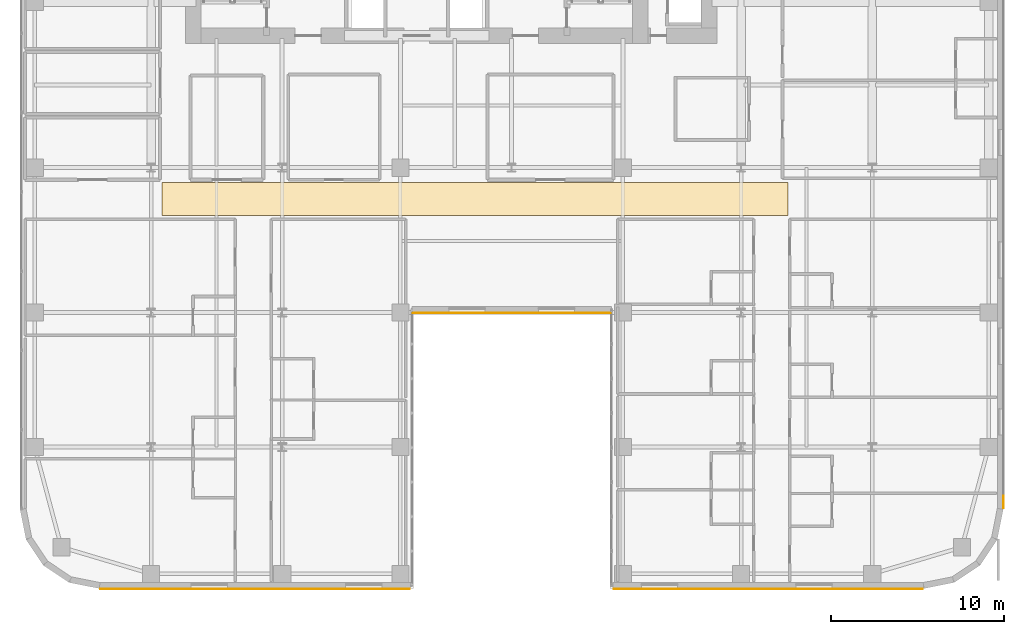
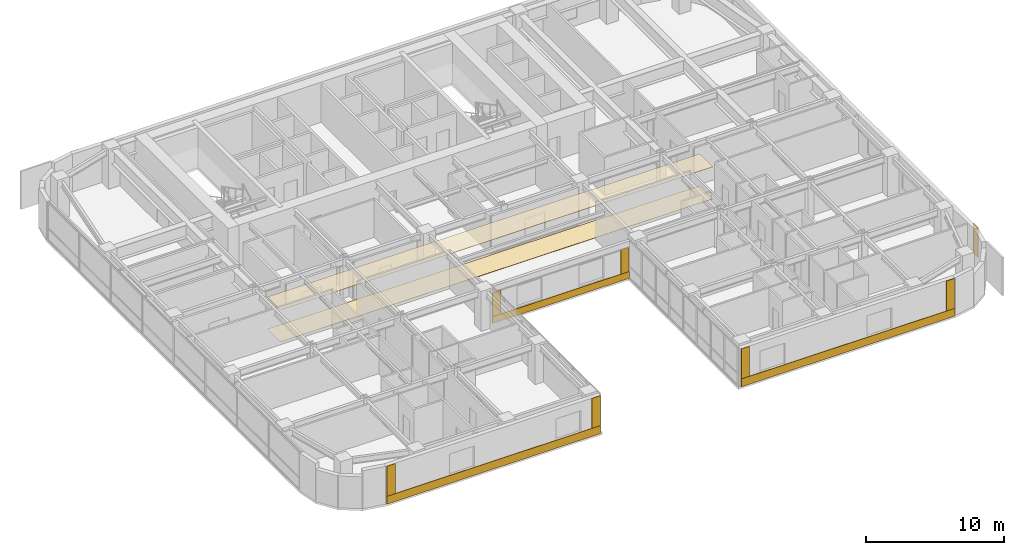
# One storey, part 33 of 37: 12 coverings.
"""IFC4 building model written with IfcOpenShell, lengths in metres."""

from ifc_helpers import new_model, si_unit, direction, frame, origin, place, context, subcontext, project, spatial, polyline, outline, extrude, material, layer, layer_set, type_object, element, save


model = new_model("IFC4")

# Units and contexts
model_context = context("Model", 3, precision=1e-05, world=origin(), true_north=direction((0.0, 1.0)))
body_context = subcontext(model_context, "Body", "Model", "MODEL_VIEW")
ifc_project = project(units=[si_unit("LENGTHUNIT", "METRE"), si_unit("AREAUNIT", "SQUARE_METRE"), si_unit("VOLUMEUNIT", "CUBIC_METRE"), si_unit("PLANEANGLEUNIT", "RADIAN"), si_unit("MASSUNIT", "GRAM", prefix="KILO")], contexts=[model_context])

# Site, building, storey
site_placement = place(None, origin())
site = spatial("IfcSite", under=ifc_project, at=site_placement, CompositionType="ELEMENT")
building_placement = place(site_placement, origin())
building = spatial("IfcBuilding", under=site, at=building_placement, Name="Tolvann Quenvar Hotel", CompositionType="ELEMENT")
storey_placement = place(building_placement, frame((0.0, 0.0, 53.300048828125)))
storey = spatial("IfcBuildingStorey", under=building, at=storey_placement, Name="L12", CompositionType="ELEMENT", Elevation=53.300048828125)

# Coverings
ifc_material_1 = material(Name="Micro-perforated acoustic mineral-fibre and timber-batten suspended ceiling", Category="wood")
ifc_layer_1 = layer(ifc_material_1, 0.0400390625)
ifc_layer_set_1 = layer_set([ifc_layer_1], Name="Micro-perforated acoustic mineral-fibre and timber-batten suspended ceiling")
covering_type_1 = type_object("IfcCoveringType", Name="COV_CEIL_ACOUSTIC_40", PredefinedType="CEILING", material=ifc_layer_set_1)
covering_1_placement = place(storey_placement, frame((0.0, 0.0, 2.829833984375)))
element("IfcCovering", 1, at=covering_1_placement, inside=storey, type_object=covering_type_1, Name="Suspended Acoustic Ceiling (Hotel Guest Corridor L12)", PredefinedType="CEILING", context=body_context, shape_type="SweptSolid", body=[
    extrude(outline(polyline([(8.219970703125, 21.6201171875), (44.530029296875, 21.6201171875), (44.530029296875, 23.530029296875), (8.219970703125, 23.530029296875), (8.219970703125, 21.6201171875)])), origin(), (0.0, 0.0, 1.0), 0.0400390625),
])
ifc_material_2 = material(Name="Kiln-fired red architectural face brick cladding", Category="masonry")
ifc_layer_2 = layer(ifc_material_2, 0.0400390625)
ifc_layer_set_2 = layer_set([ifc_layer_2], Name="Kiln-fired red architectural face brick cladding")
covering_type_2 = type_object("IfcCoveringType", Name="COV_CLAD_BRICK_40", PredefinedType="CLADDING", material=ifc_layer_set_2)
covering_2_placement = place(storey_placement, frame((0.0, 0.0, 0.699951171875)))
element("IfcCovering", 2, at=covering_2_placement, inside=storey, type_object=covering_type_2, Name="Brick Pier Cladding (L12-E04-P1)", PredefinedType="CLADDING", context=body_context, shape_type="SweptSolid", body=[
    extrude(outline(polyline([(4.667236328125, 0.0), (5.3671875, 0.0), (5.3671875, -0.0400390625), (4.667236328125, -0.0400390625), (4.667236328125, 0.0)])), origin(), (0.0, 0.0, 1.0), 2.669921875),
])
covering_3_placement = place(storey_placement, frame((0.0, 0.0, 0.699951171875)))
element("IfcCovering", 3, at=covering_3_placement, inside=storey, type_object=covering_type_2, Name="Brick Pier Cladding (L12-E04-P2)", PredefinedType="CLADDING", context=body_context, shape_type="SweptSolid", body=[
    extrude(outline(polyline([(21.875, 0.0), (22.574951171875, 0.0), (22.574951171875, -0.0400390625), (21.875, -0.0400390625), (21.875, 0.0)])), origin(), (0.0, 0.0, 1.0), 2.669921875),
])
covering_4_placement = place(storey_placement, frame((0.0, 0.0, 0.6044921875)))
element("IfcCovering", 4, at=covering_4_placement, inside=storey, type_object=covering_type_2, Name="Brick Pier Cladding (L12-E06-P1)", PredefinedType="CLADDING", context=body_context, shape_type="SweptSolid", body=[
    extrude(outline(polyline([(22.760009765625, 16.0), (23.4599609375, 16.0), (23.4599609375, 15.9599609375), (22.760009765625, 15.9599609375), (22.760009765625, 16.0)])), origin(), (0.0, 0.0, 1.0), 2.1435546875),
])
covering_5_placement = place(storey_placement, frame((0.0, 0.0, 0.6044921875)))
element("IfcCovering", 5, at=covering_5_placement, inside=storey, type_object=covering_type_2, Name="Brick Pier Cladding (L12-E06-P2)", PredefinedType="CLADDING", context=body_context, shape_type="SweptSolid", body=[
    extrude(outline(polyline([(33.5400390625, 16.0), (34.239990234375, 16.0), (34.239990234375, 15.9599609375), (33.5400390625, 15.9599609375), (33.5400390625, 16.0)])), origin(), (0.0, 0.0, 1.0), 2.1435546875),
])
covering_6_placement = place(storey_placement, frame((0.0, 0.0, 0.699951171875)))
element("IfcCovering", 6, at=covering_6_placement, inside=storey, type_object=covering_type_2, Name="Brick Pier Cladding (L12-E08-P1)", PredefinedType="CLADDING", context=body_context, shape_type="SweptSolid", body=[
    extrude(outline(polyline([(34.425048828125, 0.0), (35.125, 0.0), (35.125, -0.0400390625), (34.425048828125, -0.0400390625), (34.425048828125, 0.0)])), origin(), (0.0, 0.0, 1.0), 2.669921875),
])
covering_7_placement = place(storey_placement, frame((0.0, 0.0, 0.699951171875)))
element("IfcCovering", 7, at=covering_7_placement, inside=storey, type_object=covering_type_2, Name="Brick Pier Cladding (L12-E08-P2)", PredefinedType="CLADDING", context=body_context, shape_type="SweptSolid", body=[
    extrude(outline(polyline([(51.6328125, 0.0), (52.332763671875, 0.0), (52.332763671875, -0.0400390625), (51.6328125, -0.0400390625), (51.6328125, 0.0)])), origin(), (0.0, 0.0, 1.0), 2.669921875),
])
covering_8_placement = place(storey_placement, frame((0.0, 0.0, 0.699951171875)))
element("IfcCovering", 8, at=covering_8_placement, inside=storey, type_object=covering_type_2, Name="Brick Pier Cladding (L12-E13-P1)", PredefinedType="CLADDING", context=body_context, shape_type="SweptSolid", body=[
    extrude(outline(polyline([(57.0, 4.667236328125), (57.0, 5.3671875), (57.0400390625, 5.3671875), (57.0400390625, 4.667236328125), (57.0, 4.667236328125)])), origin(), (0.0, 0.0, 1.0), 2.669921875),
])
ifc_material_3 = material(Name="Moulded buff architectural terracotta spandrel cladding", Category="masonry")
ifc_layer_3 = layer(ifc_material_3, 0.0400390625)
ifc_layer_set_3 = layer_set([ifc_layer_3], Name="Moulded buff architectural terracotta spandrel cladding")
covering_type_3 = type_object("IfcCoveringType", Name="COV_CLAD_TERRA_40", PredefinedType="CLADDING", material=ifc_layer_set_3)
covering_9_placement = place(storey_placement, origin())
element("IfcCovering", 9, at=covering_9_placement, inside=storey, type_object=covering_type_3, Name="Terracotta Spandrel Cladding (L12-E04)", PredefinedType="CLADDING", context=body_context, shape_type="SweptSolid", body=[
    extrude(outline(polyline([(4.6572265625, 0.0), (22.5849609375, 0.0), (22.5849609375, -0.0400390625), (4.6572265625, -0.0400390625), (4.6572265625, 0.0)])), origin(), (0.0, 0.0, 1.0), 0.699951171875),
])
covering_10_placement = place(storey_placement, origin())
element("IfcCovering", 10, at=covering_10_placement, inside=storey, type_object=covering_type_3, Name="Terracotta Spandrel Cladding (L12-E06)", PredefinedType="CLADDING", context=body_context, shape_type="SweptSolid", body=[
    extrude(outline(polyline([(22.75, 16.0), (34.25, 16.0), (34.25, 15.9599609375), (22.75, 15.9599609375), (22.75, 16.0)])), origin(), (0.0, 0.0, 1.0), 0.6044921875),
])
covering_11_placement = place(storey_placement, origin())
element("IfcCovering", 11, at=covering_11_placement, inside=storey, type_object=covering_type_3, Name="Terracotta Spandrel Cladding (L12-E08)", PredefinedType="CLADDING", context=body_context, shape_type="SweptSolid", body=[
    extrude(outline(polyline([(34.4150390625, 0.0), (52.3427734375, 0.0), (52.3427734375, -0.0400390625), (34.4150390625, -0.0400390625), (34.4150390625, 0.0)])), origin(), (0.0, 0.0, 1.0), 0.699951171875),
])
ifc_material_4 = material(Name="Honed Australian bluestone, terrazzo and engineered oak flooring", Category="masonry")
ifc_layer_4 = layer(ifc_material_4, 0.02001953125)
ifc_layer_set_4 = layer_set([ifc_layer_4], Name="Honed Australian bluestone, terrazzo and engineered oak flooring")
covering_type_4 = type_object("IfcCoveringType", Name="COV_FLOOR_STONE_20", PredefinedType="FLOORING", material=ifc_layer_set_4)
covering_12_placement = place(storey_placement, origin())
element("IfcCovering", 12, at=covering_12_placement, inside=storey, type_object=covering_type_4, Name="Architectural Floor Finish (Hotel Guest Corridor L12)", PredefinedType="FLOORING", context=body_context, shape_type="SweptSolid", body=[
    extrude(outline(polyline([(8.219970703125, 21.6201171875), (44.530029296875, 21.6201171875), (44.530029296875, 23.530029296875), (8.219970703125, 23.530029296875), (8.219970703125, 21.6201171875)])), origin(), (0.0, 0.0, 1.0), 0.02001953125),
])

save(model, "model.ifc")
